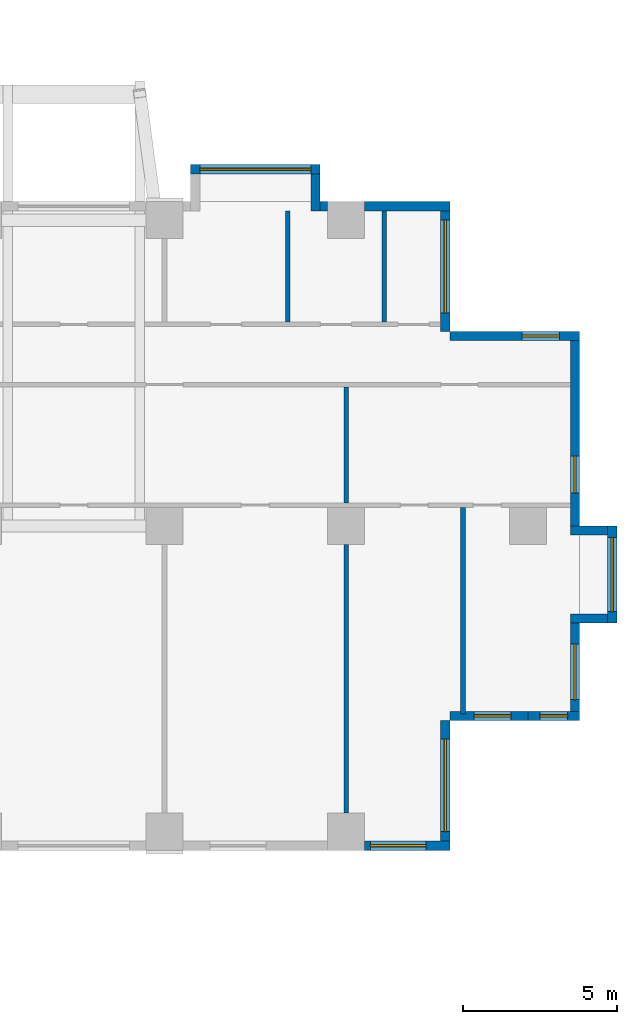
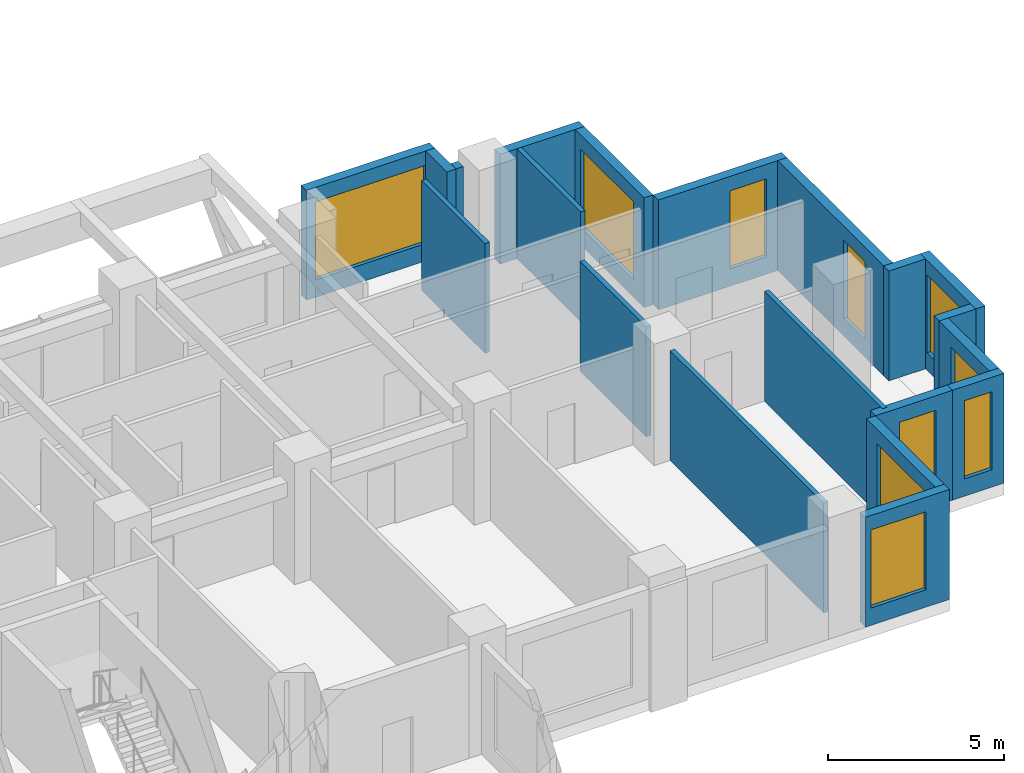
# One storey, part 9 of 14: 20 walls, 10 windows, 10 openings.
"""IFC4 building model written with IfcOpenShell, lengths in metres."""

import ifcopenshell
import ifcopenshell.guid

model = None  # the IFC model being written
_history = None  # IfcOwnerHistory: only IFC2X3 demands one
_inside = {}  # id of a spatial element -> (the spatial element, [elements in it])
_under = {}  # id of a project, library or spatial element -> (it, [spatial elements below it])
_declared = {}  # id of a project -> (the project, [libraries it declares])
_typed = {}  # id of a type object -> (the type object, [elements of that type])
_made_of = {}  # id of a material, layer set ... -> (it, [elements and type objects made of it])


def new_model(schema):
    """Start an empty IFC model of exactly this schema.

    Asked for "IFC4X3", IfcOpenShell would pick the latest addendum, in which some entities
    have other attributes; the version numbers below select the first issue.
    IFC2X3 requires an IfcOwnerHistory on every rooted entity: one is made here for all.
    """
    global model, _history
    if schema == "IFC4X3":
        model = ifcopenshell.file(schema_version=(4, 3, 0, 0))
    else:
        model = ifcopenshell.file(schema=schema)
    _inside.clear()
    _under.clear()
    _declared.clear()
    _typed.clear()
    _made_of.clear()
    _history = None
    if model.schema == "IFC2X3":
        org = make("IfcOrganization", Name="unknown")
        user = make(
            "IfcPersonAndOrganization",
            ThePerson=make("IfcPerson", FamilyName="unknown"),
            TheOrganization=org,
        )
        app = make(
            "IfcApplication",
            ApplicationDeveloper=org,
            Version="unknown",
            ApplicationFullName="unknown",
            ApplicationIdentifier="unknown",
        )
        _history = make(
            "IfcOwnerHistory",
            OwningUser=user,
            OwningApplication=app,
            ChangeAction="ADDED",
            CreationDate=0,
        )
    return model


def make(cls, **values):
    """One entity of the class cls with the attributes given. An attribute that is None is left unset."""
    return model.create_entity(
        cls, **{name: value for name, value in values.items() if value is not None}
    )


def rooted(cls, **values):
    """An entity with a GlobalId (a new one), such as an element, a storey or a relation."""
    return make(cls, GlobalId=ifcopenshell.guid.new(), OwnerHistory=_history, **values)


def si_unit(unit_type, name, prefix=None):
    """IfcSIUnit, for example si_unit("LENGTHUNIT", "METRE", prefix="MILLI")."""
    return make("IfcSIUnit", UnitType=unit_type, Prefix=prefix, Name=name)


def assignment(units):
    """IfcUnitAssignment: the units of a project."""
    return None if units is None else make("IfcUnitAssignment", Units=units)


def point(xyz):
    """IfcCartesianPoint."""
    return None if xyz is None else make("IfcCartesianPoint", Coordinates=xyz)


def direction(xyz):
    """IfcDirection."""
    return None if xyz is None else make("IfcDirection", DirectionRatios=xyz)


def frame(location, z_axis=None, x_axis=None):
    """IfcAxis2Placement3D, a coordinate frame: its origin and axes. An axis left out is left unset."""
    return make(
        "IfcAxis2Placement3D",
        Location=point(location),
        Axis=direction(z_axis),
        RefDirection=direction(x_axis),
    )


def frame_2d(location, x_axis=None):
    """IfcAxis2Placement2D, a coordinate frame in the plane: its origin and x axis."""
    return make(
        "IfcAxis2Placement2D", Location=point(location), RefDirection=direction(x_axis)
    )


def origin():
    """The frame at (0, 0, 0) with its axes left unset."""
    return frame((0.0, 0.0, 0.0))


def place(relative_to, where):
    """IfcLocalPlacement: puts the frame where relative to a parent placement (None: the world)."""
    return make(
        "IfcLocalPlacement", PlacementRelTo=relative_to, RelativePlacement=where
    )


def context(
    kind, dimensions, precision=None, world=None, true_north=None, identifier=None
):
    """IfcGeometricRepresentationContext, for example the 3D "Model" context."""
    return make(
        "IfcGeometricRepresentationContext",
        ContextIdentifier=identifier,
        ContextType=kind,
        CoordinateSpaceDimension=dimensions,
        Precision=precision,
        WorldCoordinateSystem=world,
        TrueNorth=true_north,
    )


def subcontext(parent, identifier, kind, view, scale=None):
    """IfcGeometricRepresentationSubContext, for example "Body" below "Model"."""
    return make(
        "IfcGeometricRepresentationSubContext",
        ContextIdentifier=identifier,
        ContextType=kind,
        ParentContext=parent,
        TargetScale=scale,
        TargetView=view,
    )


def project(units=None, contexts=None):
    """IfcProject with its units and contexts."""
    return rooted(
        "IfcProject",
        Name="project",
        RepresentationContexts=contexts,
        UnitsInContext=assignment(units),
    )


def spatial(cls, under=None, at=None, **own):
    """A site, building, storey or space (cls), placed at a placement, below another one or the project."""
    s = rooted(cls, ObjectPlacement=at, **own)
    if under is not None:
        _under.setdefault(under.id(), (under, []))[1].append(s)
    return s


def profile(cls, at=None, kind="AREA", **sizes):
    """A parametric profile (cls). Its sizes go by their IFC names, for example OverallWidth=200.0."""
    return make(cls, ProfileType=kind, Position=at, **sizes)


def rectangle(**sizes):
    """IfcRectangleProfileDef."""
    return profile("IfcRectangleProfileDef", **sizes)


def extrude(swept, where, along, depth):
    """IfcExtrudedAreaSolid: the profile swept, set in the frame where, extruded along a direction by depth."""
    return make(
        "IfcExtrudedAreaSolid",
        SweptArea=swept,
        Position=where,
        ExtrudedDirection=direction(along),
        Depth=depth,
    )


def shape(context_of_items, identifier, shape_type, items):
    """IfcShapeRepresentation: the items that make up one representation, for example the "Body"."""
    return make(
        "IfcShapeRepresentation",
        ContextOfItems=context_of_items,
        RepresentationIdentifier=identifier,
        RepresentationType=shape_type,
        Items=items,
    )


def source(mapping_origin, context_of_items, identifier, shape_type, items):
    """IfcRepresentationMap: a shape defined once, which mapped items show again and again."""
    return make(
        "IfcRepresentationMap",
        MappingOrigin=mapping_origin,
        MappedRepresentation=shape(context_of_items, identifier, shape_type, items),
    )


def transform(
    local_origin,
    x_axis=None,
    y_axis=None,
    z_axis=None,
    scale=None,
    scale2=None,
    scale3=None,
    uniform=True,
):
    """IfcCartesianTransformationOperator3D, or its non-uniform kind. x_axis, y_axis, z_axis: its Axis1, 2, 3."""
    if uniform:
        return make(
            "IfcCartesianTransformationOperator3D",
            Axis1=direction(x_axis),
            Axis2=direction(y_axis),
            LocalOrigin=point(local_origin),
            Scale=scale,
            Axis3=direction(z_axis),
        )
    return make(
        "IfcCartesianTransformationOperator3DnonUniform",
        Axis1=direction(x_axis),
        Axis2=direction(y_axis),
        LocalOrigin=point(local_origin),
        Scale=scale,
        Axis3=direction(z_axis),
        Scale2=scale2,
        Scale3=scale3,
    )


def mapped(mapping_source, mapping_target):
    """IfcMappedItem: shows the shape of a source again, moved by a transform."""
    return make(
        "IfcMappedItem", MappingSource=mapping_source, MappingTarget=mapping_target
    )


def material(Name=None, Category=None):
    """IfcMaterial."""
    return make("IfcMaterial", Name=Name, Category=Category)


def layer(
    of_material, thickness, ventilated=None, Name=None, Category=None, Priority=None
):
    """IfcMaterialLayer: one layer of a wall or slab, of a material (None: an air gap)."""
    return make(
        "IfcMaterialLayer",
        Material=of_material,
        LayerThickness=thickness,
        IsVentilated=ventilated,
        Name=Name,
        Category=Category,
        Priority=Priority,
    )


def layer_set(layers, Name=None):
    """IfcMaterialLayerSet."""
    return make("IfcMaterialLayerSet", MaterialLayers=layers, LayerSetName=Name)


def made_of(thing, what):
    """Note that an element or type object is made of a material, layer set ...; save() writes the relation."""
    if what is not None:
        _made_of.setdefault(what.id(), (what, []))[1].append(thing)
    return thing


def type_object(cls, material=None, **own):
    """A type object (cls), such as IfcWallType, which elements share."""
    return made_of(rooted(cls, **own), material)


def element(
    cls,
    number,
    at=None,
    inside=None,
    cuts=None,
    type_object=None,
    material=None,
    context=None,
    identifier="Body",
    shape_type=None,
    held_by="IfcProductDefinitionShape",
    body=None,
    shapes=None,
    **own,
):
    """One element of the class cls, such as IfcWall. Its Tag is "e" and its number.

    at: its placement. inside: the storey or other place that contains it. cuts: it is an
    opening in that element (IfcRelVoidsElement). A single representation is given by context,
    identifier, shape_type and body (its items); several are given by shapes. held_by: the class
    of the entity that holds the representations. save() writes the other relations.
    """
    e = rooted(cls, Tag="e%d" % number, ObjectPlacement=at, **own)
    if body is not None:
        shapes = [shape(context, identifier, shape_type, body)]
    if shapes is not None:
        e.Representation = make(held_by, Representations=shapes)
    if inside is not None:
        _inside.setdefault(inside.id(), (inside, []))[1].append(e)
    if cuts is not None:
        rooted(
            "IfcRelVoidsElement", RelatingBuildingElement=cuts, RelatedOpeningElement=e
        )
    if type_object is not None:
        _typed.setdefault(type_object.id(), (type_object, []))[1].append(e)
    return made_of(e, material)


def fill(opening, filler):
    """IfcRelFillsElement: the door or window that sits in an opening."""
    return rooted(
        "IfcRelFillsElement",
        RelatingOpeningElement=opening,
        RelatedBuildingElement=filler,
    )


def aggregate(whole, parts):
    """IfcRelAggregates: a whole, such as a stair, and the parts it consists of."""
    return rooted("IfcRelAggregates", RelatingObject=whole, RelatedObjects=parts)


def save(model, path):
    """Write the relations noted so far, then the file.

    IfcRelAggregates (storeys below a building ...), IfcRelContainedInSpatialStructure (elements
    in a storey), IfcRelDefinesByType, IfcRelAssociatesMaterial and IfcRelDeclares: one each for
    every whole, place, type object, material and project.
    """
    for whole, parts in _under.values():
        aggregate(whole, parts)
    for where, things in _inside.values():
        rooted(
            "IfcRelContainedInSpatialStructure",
            RelatedElements=things,
            RelatingStructure=where,
        )
    for kind, things in _typed.values():
        rooted("IfcRelDefinesByType", RelatedObjects=things, RelatingType=kind)
    for what, things in _made_of.values():
        rooted("IfcRelAssociatesMaterial", RelatedObjects=things, RelatingMaterial=what)
    for by, libraries in _declared.values():
        rooted("IfcRelDeclares", RelatingContext=by, RelatedDefinitions=libraries)
    model.write(path)


model = new_model("IFC4")

# Units and contexts
model_context = context("Model", 3, precision=1e-05, world=origin(), true_north=direction((0.0, 1.0)))
body_context = subcontext(model_context, "Body", "Model", "MODEL_VIEW")
ifc_project = project(units=[si_unit("LENGTHUNIT", "METRE"), si_unit("AREAUNIT", "SQUARE_METRE"), si_unit("VOLUMEUNIT", "CUBIC_METRE"), si_unit("PLANEANGLEUNIT", "RADIAN"), si_unit("MASSUNIT", "GRAM", prefix="KILO")], contexts=[model_context])

# Site, building, storey
site_placement = place(None, origin())
site = spatial("IfcSite", under=ifc_project, at=site_placement, CompositionType="ELEMENT")
building_placement = place(site_placement, origin())
building = spatial("IfcBuilding", under=site, at=building_placement, Name="Aurelian Terraces", CompositionType="ELEMENT")
storey_placement = place(building_placement, frame((0.0, 0.0, 44.7)))
storey = spatial("IfcBuildingStorey", under=building, at=storey_placement, Name="L08", CompositionType="ELEMENT", Elevation=44.7)

# Wall, opening, window
ifc_material_1 = material(Name="Terracotta rainscreen cladding", Category="masonry")
ifc_layer_1 = layer(ifc_material_1, 0.3)
ifc_layer_set_1 = layer_set([ifc_layer_1], Name="EW-300")
wall_type_1 = type_object("IfcWallType", Name="EW-300", PredefinedType="STANDARD", material=ifc_layer_set_1)
shared_shape_1 = source(origin(), body_context, "Body", "SweptSolid", [
    extrude(rectangle(XDim=3.15, YDim=0.3, at=frame_2d((1.575, 0.0))), origin(), (0.0, 0.0, 1.0), 3.8),
])
wall_1_placement = place(storey_placement, frame((71.25, 4.2, 0.0), z_axis=(0.0, 0.0, 1.0), x_axis=(0.0, 1.0, 0.0)))
wall_1 = element("IfcWall", 1, at=wall_1_placement, inside=storey, type_object=wall_type_1, Name="External wall L08 F04.15", PredefinedType="STANDARD", context=body_context, shape_type="MappedRepresentation", body=[
    mapped(shared_shape_1, transform((0.0, 0.0, 0.0), scale=1.0)),
])
shared_shape_2 = source(origin(), body_context, "Body", "SweptSolid", [
    extrude(rectangle(XDim=1.8, YDim=2.7, at=frame_2d((0.9, 1.35))), frame((0.0, 0.16, 0.0), z_axis=(0.0, -1.0, 0.0), x_axis=(1.0, 0.0, 0.0)), (0.0, 0.0, 1.0), 0.32),
])
opening_1_placement = place(wall_1_placement, frame((0.675, 0.0, 0.6)))
opening_1 = element("IfcOpeningElement", 2, at=opening_1_placement, cuts=wall_1, Name="Opening W1827", PredefinedType="OPENING", context=body_context, shape_type="MappedRepresentation", body=[
    mapped(shared_shape_2, transform((0.0, 0.0, 0.0), scale=1.0)),
])
ifc_material_2 = material(Name="Clear glazing", Category="glass")
window_type_1 = type_object("IfcWindowType", Name="W-1800x2700", PartitioningType="SINGLE_PANEL", PredefinedType="WINDOW", material=ifc_material_2)
shared_shape_3 = source(origin(), body_context, "Body", "SweptSolid", [
    extrude(rectangle(XDim=1.8, YDim=2.7, at=frame_2d((0.9, 1.35))), frame((0.0, 0.03, 0.0), z_axis=(0.0, -1.0, 0.0), x_axis=(1.0, 0.0, 0.0)), (0.0, 0.0, 1.0), 0.06),
])
window_1_placement = place(opening_1_placement, origin())
window_1 = element("IfcWindow", 3, at=window_1_placement, inside=storey, type_object=window_type_1, Name="Window L08 L08-F04-15-0", OverallHeight=2.7, OverallWidth=1.8, PartitioningType="SINGLE_PANEL", PredefinedType="WINDOW", context=body_context, shape_type="MappedRepresentation", body=[
    mapped(shared_shape_3, transform((0.0, 0.0, 0.0), scale=1.0)),
])
fill(opening_1, window_1)

wall_2_placement = place(storey_placement, frame((72.45, 7.35, 0.0), z_axis=(0.0, 0.0, 1.0), x_axis=(0.0, 1.0, 0.0)))
wall_2 = element("IfcWall", 4, at=wall_2_placement, inside=storey, type_object=wall_type_1, Name="Bay wall L08 F04.16", PredefinedType="STANDARD", context=body_context, shape_type="MappedRepresentation", body=[
    mapped(shared_shape_1, transform((0.0, 0.0, 0.0), scale=1.0)),
])
shared_shape_4 = source(origin(), body_context, "Body", "SweptSolid", [
    extrude(rectangle(XDim=2.4, YDim=2.7, at=frame_2d((1.2, 1.35))), frame((0.0, 0.16, 0.0), z_axis=(0.0, -1.0, 0.0), x_axis=(1.0, 0.0, 0.0)), (0.0, 0.0, 1.0), 0.32),
])
opening_2_placement = place(wall_2_placement, frame((0.375, 0.0, 0.6)))
opening_2 = element("IfcOpeningElement", 5, at=opening_2_placement, cuts=wall_2, Name="Opening W2427", PredefinedType="OPENING", context=body_context, shape_type="MappedRepresentation", body=[
    mapped(shared_shape_4, transform((0.0, 0.0, 0.0), scale=1.0)),
])
window_type_2 = type_object("IfcWindowType", Name="W-2400x2700", PartitioningType="SINGLE_PANEL", PredefinedType="WINDOW", material=ifc_material_2)
shared_shape_5 = source(origin(), body_context, "Body", "SweptSolid", [
    extrude(rectangle(XDim=2.4, YDim=2.7, at=frame_2d((1.2, 1.35))), frame((0.0, 0.03, 0.0), z_axis=(0.0, -1.0, 0.0), x_axis=(1.0, 0.0, 0.0)), (0.0, 0.0, 1.0), 0.06),
])
window_2_placement = place(opening_2_placement, origin())
window_2 = element("IfcWindow", 6, at=window_2_placement, inside=storey, type_object=window_type_2, Name="Window L08 L08-F04-16-0", OverallHeight=2.7, OverallWidth=2.4, PartitioningType="SINGLE_PANEL", PredefinedType="WINDOW", context=body_context, shape_type="MappedRepresentation", body=[
    mapped(shared_shape_5, transform((0.0, 0.0, 0.0), scale=1.0)),
])
fill(opening_2, window_2)

shared_shape_6 = source(origin(), body_context, "Body", "SweptSolid", [
    extrude(rectangle(XDim=4.2, YDim=0.3, at=frame_2d((2.1, 0.0))), origin(), (0.0, 0.0, 1.0), 3.8),
])
wall_3_placement = place(storey_placement, frame((67.05, 0.0, 0.0), z_axis=(0.0, 0.0, 1.0), x_axis=(0.0, 1.0, 0.0)))
wall_3 = element("IfcWall", 7, at=wall_3_placement, inside=storey, type_object=wall_type_1, Name="External wall L08 F02.12", PredefinedType="STANDARD", context=body_context, shape_type="MappedRepresentation", body=[
    mapped(shared_shape_6, transform((0.0, 0.0, 0.0), scale=1.0)),
])
shared_shape_7 = source(origin(), body_context, "Body", "SweptSolid", [
    extrude(rectangle(XDim=3.0, YDim=2.7, at=frame_2d((1.5, 1.35))), frame((0.0, 0.16, 0.0), z_axis=(0.0, -1.0, 0.0), x_axis=(1.0, 0.0, 0.0)), (0.0, 0.0, 1.0), 0.32),
])
opening_3_placement = place(wall_3_placement, frame((0.6, 0.0, 0.6)))
opening_3 = element("IfcOpeningElement", 8, at=opening_3_placement, cuts=wall_3, Name="Opening W3027", PredefinedType="OPENING", context=body_context, shape_type="MappedRepresentation", body=[
    mapped(shared_shape_7, transform((0.0, 0.0, 0.0), scale=1.0)),
])
window_type_3 = type_object("IfcWindowType", Name="W-3000x2700", PartitioningType="SINGLE_PANEL", PredefinedType="WINDOW", material=ifc_material_2)
shared_shape_8 = source(origin(), body_context, "Body", "SweptSolid", [
    extrude(rectangle(XDim=3.0, YDim=2.7, at=frame_2d((1.5, 1.35))), frame((0.0, 0.03, 0.0), z_axis=(0.0, -1.0, 0.0), x_axis=(1.0, 0.0, 0.0)), (0.0, 0.0, 1.0), 0.06),
])
window_3_placement = place(opening_3_placement, origin())
window_3 = element("IfcWindow", 9, at=window_3_placement, inside=storey, type_object=window_type_3, Name="Window L08 L08-F02-12-0", OverallHeight=2.7, OverallWidth=3.0, PartitioningType="SINGLE_PANEL", PredefinedType="WINDOW", context=body_context, shape_type="MappedRepresentation", body=[
    mapped(shared_shape_8, transform((0.0, 0.0, 0.0), scale=1.0)),
])
fill(opening_3, window_3)

wall_4_placement = place(storey_placement, frame((71.4, 16.65, 0.0), z_axis=(0.0, 0.0, 1.0), x_axis=(-1.0, 0.0, 0.0)))
wall_4 = element("IfcWall", 10, at=wall_4_placement, inside=storey, type_object=wall_type_1, Name="External wall L08 F05.18", PredefinedType="STANDARD", context=body_context, shape_type="MappedRepresentation", body=[
    mapped(shared_shape_6, transform((0.0, 0.0, 0.0), scale=1.0)),
])
shared_shape_9 = source(origin(), body_context, "Body", "SweptSolid", [
    extrude(rectangle(XDim=1.2, YDim=2.7, at=frame_2d((0.6, 1.35))), frame((0.0, 0.16, 0.0), z_axis=(0.0, -1.0, 0.0), x_axis=(1.0, 0.0, 0.0)), (0.0, 0.0, 1.0), 0.32),
])
opening_4_placement = place(wall_4_placement, frame((0.66, 0.0, 0.6)))
opening_4 = element("IfcOpeningElement", 11, at=opening_4_placement, cuts=wall_4, Name="Opening W1227", PredefinedType="OPENING", context=body_context, shape_type="MappedRepresentation", body=[
    mapped(shared_shape_9, transform((0.0, 0.0, 0.0), scale=1.0)),
])
window_type_4 = type_object("IfcWindowType", Name="W-1200x2700", PartitioningType="SINGLE_PANEL", PredefinedType="WINDOW", material=ifc_material_2)
shared_shape_10 = source(origin(), body_context, "Body", "SweptSolid", [
    extrude(rectangle(XDim=1.2, YDim=2.7, at=frame_2d((0.6, 1.35))), frame((0.0, 0.03, 0.0), z_axis=(0.0, -1.0, 0.0), x_axis=(1.0, 0.0, 0.0)), (0.0, 0.0, 1.0), 0.06),
])
window_4_placement = place(opening_4_placement, origin())
window_4 = element("IfcWindow", 12, at=window_4_placement, inside=storey, type_object=window_type_4, Name="Window L08 L08-F05-18-0", OverallHeight=2.7, OverallWidth=1.2, PartitioningType="SINGLE_PANEL", PredefinedType="WINDOW", context=body_context, shape_type="MappedRepresentation", body=[
    mapped(shared_shape_10, transform((0.0, 0.0, 0.0), scale=1.0)),
])
fill(opening_4, window_4)

wall_5_placement = place(storey_placement, frame((67.05, 16.8, 0.0), z_axis=(0.0, 0.0, 1.0), x_axis=(0.0, 1.0, 0.0)))
wall_5 = element("IfcWall", 13, at=wall_5_placement, inside=storey, type_object=wall_type_1, Name="External wall L08 F06.19", PredefinedType="STANDARD", context=body_context, shape_type="MappedRepresentation", body=[
    mapped(shared_shape_6, transform((0.0, 0.0, 0.0), scale=1.0)),
])
opening_5_placement = place(wall_5_placement, frame((0.6, 0.0, 0.6)))
opening_5 = element("IfcOpeningElement", 14, at=opening_5_placement, cuts=wall_5, Name="Opening W3027", PredefinedType="OPENING", context=body_context, shape_type="MappedRepresentation", body=[
    mapped(shared_shape_7, transform((0.0, 0.0, 0.0), scale=1.0)),
])
window_5_placement = place(opening_5_placement, origin())
window_5 = element("IfcWindow", 15, at=window_5_placement, inside=storey, type_object=window_type_3, Name="Window L08 L08-F06-19-0", OverallHeight=2.7, OverallWidth=3.0, PartitioningType="SINGLE_PANEL", PredefinedType="WINDOW", context=body_context, shape_type="MappedRepresentation", body=[
    mapped(shared_shape_8, transform((0.0, 0.0, 0.0), scale=1.0)),
])
fill(opening_5, window_5)

wall_6_placement = place(storey_placement, frame((63.0, 22.05, 0.0), z_axis=(0.0, 0.0, 1.0), x_axis=(-1.0, 0.0, 0.0)))
wall_6 = element("IfcWall", 16, at=wall_6_placement, inside=storey, type_object=wall_type_1, Name="Bay wall L08 F07.21", PredefinedType="STANDARD", context=body_context, shape_type="MappedRepresentation", body=[
    mapped(shared_shape_6, transform((0.0, 0.0, 0.0), scale=1.0)),
])
shared_shape_11 = source(origin(), body_context, "Body", "SweptSolid", [
    extrude(rectangle(XDim=3.6, YDim=2.7, at=frame_2d((1.8, 1.35))), frame((0.0, 0.16, 0.0), z_axis=(0.0, -1.0, 0.0), x_axis=(1.0, 0.0, 0.0)), (0.0, 0.0, 1.0), 0.32),
])
opening_6_placement = place(wall_6_placement, frame((0.3, 0.0, 0.6)))
opening_6 = element("IfcOpeningElement", 17, at=opening_6_placement, cuts=wall_6, Name="Opening W3627", PredefinedType="OPENING", context=body_context, shape_type="MappedRepresentation", body=[
    mapped(shared_shape_11, transform((0.0, 0.0, 0.0), scale=1.0)),
])
window_type_5 = type_object("IfcWindowType", Name="W-3600x2700", PartitioningType="SINGLE_PANEL", PredefinedType="WINDOW", material=ifc_material_2)
shared_shape_12 = source(origin(), body_context, "Body", "SweptSolid", [
    extrude(rectangle(XDim=3.6, YDim=2.7, at=frame_2d((1.8, 1.35))), frame((0.0, 0.03, 0.0), z_axis=(0.0, -1.0, 0.0), x_axis=(1.0, 0.0, 0.0)), (0.0, 0.0, 1.0), 0.06),
])
window_6_placement = place(opening_6_placement, origin())
window_6 = element("IfcWindow", 18, at=window_6_placement, inside=storey, type_object=window_type_5, Name="Window L08 L08-F07-21-0", OverallHeight=2.7, OverallWidth=3.6, PartitioningType="SINGLE_PANEL", PredefinedType="WINDOW", context=body_context, shape_type="MappedRepresentation", body=[
    mapped(shared_shape_12, transform((0.0, 0.0, 0.0), scale=1.0)),
])
fill(opening_6, window_6)

shared_shape_13 = source(origin(), body_context, "Body", "SweptSolid", [
    extrude(rectangle(XDim=2.76, YDim=0.3, at=frame_2d((1.38, 0.0))), origin(), (0.0, 0.0, 1.0), 3.8),
])
wall_7_placement = place(storey_placement, frame((64.44, 0.15, 0.0), z_axis=(0.0, 0.0, 1.0), x_axis=(1.0, 0.0, 0.0)))
wall_7 = element("IfcWall", 19, at=wall_7_placement, inside=storey, type_object=wall_type_1, Name="External wall L08 F01.11", PredefinedType="STANDARD", context=body_context, shape_type="MappedRepresentation", body=[
    mapped(shared_shape_13, transform((0.0, 0.0, 0.0), scale=1.0)),
])
opening_7_placement = place(wall_7_placement, frame((0.18, 0.0, 0.6)))
opening_7 = element("IfcOpeningElement", 20, at=opening_7_placement, cuts=wall_7, Name="Opening W1827", PredefinedType="OPENING", context=body_context, shape_type="MappedRepresentation", body=[
    mapped(shared_shape_2, transform((0.0, 0.0, 0.0), scale=1.0)),
])
window_7_placement = place(opening_7_placement, origin())
window_7 = element("IfcWindow", 21, at=window_7_placement, inside=storey, type_object=window_type_1, Name="Window L08 L08-F01-11-0", OverallHeight=2.7, OverallWidth=1.8, PartitioningType="SINGLE_PANEL", PredefinedType="WINDOW", context=body_context, shape_type="MappedRepresentation", body=[
    mapped(shared_shape_3, transform((0.0, 0.0, 0.0), scale=1.0)),
])
fill(opening_7, window_7)

# Walls
wall_8_placement = place(storey_placement, frame((67.2, 20.85, 0.0), z_axis=(0.0, 0.0, 1.0), x_axis=(-1.0, 0.0, 0.0)))
element("IfcWall", 22, at=wall_8_placement, inside=storey, type_object=wall_type_1, Name="External wall L08 F07.20", PredefinedType="STANDARD", context=body_context, shape_type="MappedRepresentation", body=[
    mapped(shared_shape_13, transform((0.0, 0.0, 0.0), scale=1.0)),
])
shared_shape_14 = source(origin(), body_context, "Body", "SweptSolid", [
    extrude(rectangle(XDim=1.2, YDim=0.3, at=frame_2d((0.6, 0.0))), origin(), (0.0, 0.0, 1.0), 3.8),
])
for number, where, z_axis, x_axis, name in (
    (23, (71.1, 7.5, 0.0), (0.0, 0.0, 1.0), (1.0, 0.0, 0.0), "Bay return L08 F04.16.1"),
    (24, (71.1, 10.35, 0.0), (0.0, 0.0, 1.0), (1.0, 0.0, 0.0), "Bay return L08 F04.16.2"),
    (25, (62.85, 20.7, 0.0), (0.0, 0.0, 1.0), (0.0, 1.0, 0.0), "Bay return L08 F07.21.1"),
):
    element("IfcWall", number, at=place(storey_placement, frame(where, z_axis=z_axis, x_axis=x_axis)), inside=storey, type_object=wall_type_1, Name=name, PredefinedType="STANDARD", context=body_context, shape_type="MappedRepresentation", body=[
        mapped(shared_shape_14, transform((0.0, 0.0, 0.0), scale=1.0)),
    ])
shared_shape_15 = source(origin(), body_context, "Body", "SweptSolid", [
    extrude(rectangle(XDim=0.24, YDim=0.3, at=frame_2d((0.12, 0.0))), origin(), (0.0, 0.0, 1.0), 3.8),
])
wall_9_placement = place(storey_placement, frame((63.24, 20.85, 0.0), z_axis=(0.0, 0.0, 1.0), x_axis=(-1.0, 0.0, 0.0)))
element("IfcWall", 26, at=wall_9_placement, inside=storey, type_object=wall_type_1, Name="External wall L08 F07.20", PredefinedType="STANDARD", context=body_context, shape_type="MappedRepresentation", body=[
    mapped(shared_shape_15, transform((0.0, 0.0, 0.0), scale=1.0)),
])

# Wall, opening, window
shared_shape_16 = source(origin(), body_context, "Body", "SweptSolid", [
    extrude(rectangle(XDim=2.52, YDim=0.3, at=frame_2d((1.26, 0.0))), origin(), (0.0, 0.0, 1.0), 3.8),
])
wall_10_placement = place(storey_placement, frame((67.2, 4.35, 0.0), z_axis=(0.0, 0.0, 1.0), x_axis=(1.0, 0.0, 0.0)))
wall_10 = element("IfcWall", 27, at=wall_10_placement, inside=storey, type_object=wall_type_1, Name="External wall L08 F03.13", PredefinedType="STANDARD", context=body_context, shape_type="MappedRepresentation", body=[
    mapped(shared_shape_16, transform((0.0, 0.0, 0.0), scale=1.0)),
])
opening_8_placement = place(wall_10_placement, frame((0.7775, 0.0, 0.6)))
opening_8 = element("IfcOpeningElement", 28, at=opening_8_placement, cuts=wall_10, Name="Opening W1227", PredefinedType="OPENING", context=body_context, shape_type="MappedRepresentation", body=[
    mapped(shared_shape_9, transform((0.0, 0.0, 0.0), scale=1.0)),
])
window_8_placement = place(opening_8_placement, origin())
window_8 = element("IfcWindow", 29, at=window_8_placement, inside=storey, type_object=window_type_4, Name="Window L08 L08-F03-13-P0", OverallHeight=2.7, OverallWidth=1.2, PartitioningType="SINGLE_PANEL", PredefinedType="WINDOW", context=body_context, shape_type="MappedRepresentation", body=[
    mapped(shared_shape_10, transform((0.0, 0.0, 0.0), scale=1.0)),
])
fill(opening_8, window_8)

shared_shape_17 = source(origin(), body_context, "Body", "SweptSolid", [
    extrude(rectangle(XDim=1.68, YDim=0.3, at=frame_2d((0.84, 0.0))), origin(), (0.0, 0.0, 1.0), 3.8),
])
wall_11_placement = place(storey_placement, frame((69.72, 4.35, 0.0), z_axis=(0.0, 0.0, 1.0), x_axis=(1.0, 0.0, 0.0)))
wall_11 = element("IfcWall", 30, at=wall_11_placement, inside=storey, type_object=wall_type_1, Name="External wall L08 F03.14", PredefinedType="STANDARD", context=body_context, shape_type="MappedRepresentation", body=[
    mapped(shared_shape_17, transform((0.0, 0.0, 0.0), scale=1.0)),
])
shared_shape_18 = source(origin(), body_context, "Body", "SweptSolid", [
    extrude(rectangle(XDim=0.9, YDim=2.7, at=frame_2d((0.45, 1.35))), frame((0.0, 0.16, 0.0), z_axis=(0.0, -1.0, 0.0), x_axis=(1.0, 0.0, 0.0)), (0.0, 0.0, 1.0), 0.32),
])
opening_9_placement = place(wall_11_placement, frame((0.39, 0.0, 0.6)))
opening_9 = element("IfcOpeningElement", 31, at=opening_9_placement, cuts=wall_11, Name="Opening W0927", PredefinedType="OPENING", context=body_context, shape_type="MappedRepresentation", body=[
    mapped(shared_shape_18, transform((0.0, 0.0, 0.0), scale=1.0)),
])
window_type_6 = type_object("IfcWindowType", Name="W-900x2700", PartitioningType="SINGLE_PANEL", PredefinedType="WINDOW", material=ifc_material_2)
shared_shape_19 = source(origin(), body_context, "Body", "SweptSolid", [
    extrude(rectangle(XDim=0.9, YDim=2.7, at=frame_2d((0.45, 1.35))), frame((0.0, 0.03, 0.0), z_axis=(0.0, -1.0, 0.0), x_axis=(1.0, 0.0, 0.0)), (0.0, 0.0, 1.0), 0.06),
])
window_9_placement = place(opening_9_placement, origin())
window_9 = element("IfcWindow", 32, at=window_9_placement, inside=storey, type_object=window_type_6, Name="Window L08 L08-F03-14-P0", OverallHeight=2.7, OverallWidth=0.9, PartitioningType="SINGLE_PANEL", PredefinedType="WINDOW", context=body_context, shape_type="MappedRepresentation", body=[
    mapped(shared_shape_19, transform((0.0, 0.0, 0.0), scale=1.0)),
])
fill(opening_9, window_9)

shared_shape_20 = source(origin(), body_context, "Body", "SweptSolid", [
    extrude(rectangle(XDim=6.3, YDim=0.3, at=frame_2d((3.15, 0.0))), origin(), (0.0, 0.0, 1.0), 3.8),
])
wall_12_placement = place(storey_placement, frame((71.25, 10.5, 0.0), z_axis=(0.0, 0.0, 1.0), x_axis=(0.0, 1.0, 0.0)))
wall_12 = element("IfcWall", 33, at=wall_12_placement, inside=storey, type_object=wall_type_1, Name="External wall L08 F04.17", PredefinedType="STANDARD", context=body_context, shape_type="MappedRepresentation", body=[
    mapped(shared_shape_20, transform((0.0, 0.0, 0.0), scale=1.0)),
])
opening_10_placement = place(wall_12_placement, frame((1.0625, 0.0, 0.6)))
opening_10 = element("IfcOpeningElement", 34, at=opening_10_placement, cuts=wall_12, Name="Opening W1227", PredefinedType="OPENING", context=body_context, shape_type="MappedRepresentation", body=[
    mapped(shared_shape_9, transform((0.0, 0.0, 0.0), scale=1.0)),
])
window_10_placement = place(opening_10_placement, origin())
window_10 = element("IfcWindow", 35, at=window_10_placement, inside=storey, type_object=window_type_4, Name="Window L08 L08-F04-17-0", OverallHeight=2.7, OverallWidth=1.2, PartitioningType="SINGLE_PANEL", PredefinedType="WINDOW", context=body_context, shape_type="MappedRepresentation", body=[
    mapped(shared_shape_10, transform((0.0, 0.0, 0.0), scale=1.0)),
])
fill(opening_10, window_10)

# Walls
ifc_material_3 = material(Name="Gypsum board on steel studs", Category="steel")
ifc_layer_2 = layer(ifc_material_3, 0.15)
ifc_layer_set_2 = layer_set([ifc_layer_2], Name="Partition 150")
wall_type_2 = type_object("IfcWallType", Name="Partition 150", PredefinedType="PARTITIONING", material=ifc_layer_set_2)
shared_shape_21 = source(origin(), body_context, "Body", "SweptSolid", [
    extrude(rectangle(XDim=3.75, YDim=0.15, at=frame_2d((1.875, 0.0))), origin(), (0.0, 0.0, 1.0), 3.8),
])
wall_13_placement = place(storey_placement, frame((63.84, 11.25, 0.0), z_axis=(0.0, 0.0, 1.0), x_axis=(0.0, 1.0, 0.0)))
element("IfcWall", 36, at=wall_13_placement, inside=storey, type_object=wall_type_2, Name="Partition", PredefinedType="PARTITIONING", context=body_context, shape_type="MappedRepresentation", body=[
    mapped(shared_shape_21, transform((0.0, 0.0, 0.0), scale=1.0)),
])
shared_shape_22 = source(origin(), body_context, "Body", "SweptSolid", [
    extrude(rectangle(XDim=8.702, YDim=0.15, at=frame_2d((4.351, 0.0))), origin(), (0.0, 0.0, 1.0), 3.8),
])
wall_14_placement = place(storey_placement, frame((63.84, 1.199, 0.0), z_axis=(0.0, 0.0, 1.0), x_axis=(0.0, 1.0, 0.0)))
element("IfcWall", 37, at=wall_14_placement, inside=storey, type_object=wall_type_2, Name="Partition", PredefinedType="PARTITIONING", context=body_context, shape_type="MappedRepresentation", body=[
    mapped(shared_shape_22, transform((0.0, 0.0, 0.0), scale=1.0)),
])
shared_shape_23 = source(origin(), body_context, "Body", "SweptSolid", [
    extrude(rectangle(XDim=3.6, YDim=0.15, at=frame_2d((1.8, 0.0))), origin(), (0.0, 0.0, 1.0), 3.8),
])
for number, where, z_axis, x_axis, name in (
    (38, (61.9445, 20.7, 0.0), (0.0, 0.0, 1.0), (0.0, -1.0, 0.0), "Partition"),
    (39, (65.0722, 20.7, 0.0), (0.0, 0.0, 1.0), (0.0, -1.0, 0.0), "Partition"),
):
    element("IfcWall", number, at=place(storey_placement, frame(where, z_axis=z_axis, x_axis=x_axis)), inside=storey, type_object=wall_type_2, Name=name, PredefinedType="PARTITIONING", context=body_context, shape_type="MappedRepresentation", body=[
        mapped(shared_shape_23, transform((0.0, 0.0, 0.0), scale=1.0)),
    ])
shared_shape_24 = source(origin(), body_context, "Body", "SweptSolid", [
    extrude(rectangle(XDim=6.695, YDim=0.15, at=frame_2d((3.3475, 0.0))), origin(), (0.0, 0.0, 1.0), 3.8),
])
wall_15_placement = place(storey_placement, frame((67.62, 4.405, 0.0), z_axis=(0.0, 0.0, 1.0), x_axis=(0.0, 1.0, 0.0)))
element("IfcWall", 40, at=wall_15_placement, inside=storey, type_object=wall_type_2, Name="Partition", PredefinedType="PARTITIONING", context=body_context, shape_type="MappedRepresentation", body=[
    mapped(shared_shape_24, transform((0.0, 0.0, 0.0), scale=1.0)),
])

save(model, "model.ifc")
